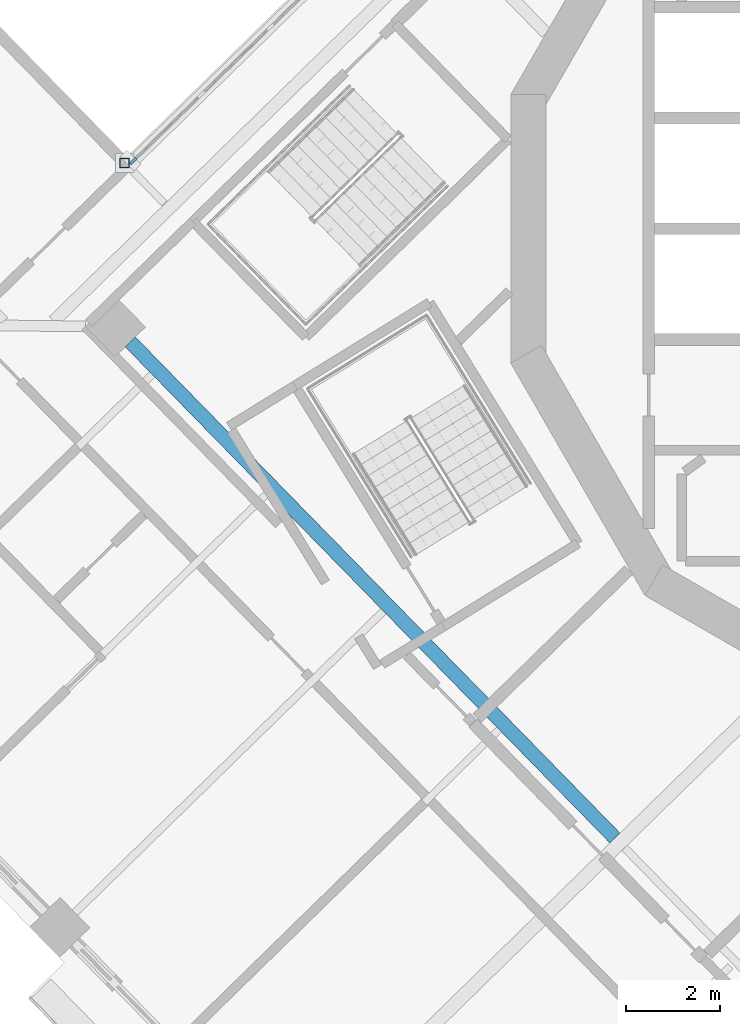
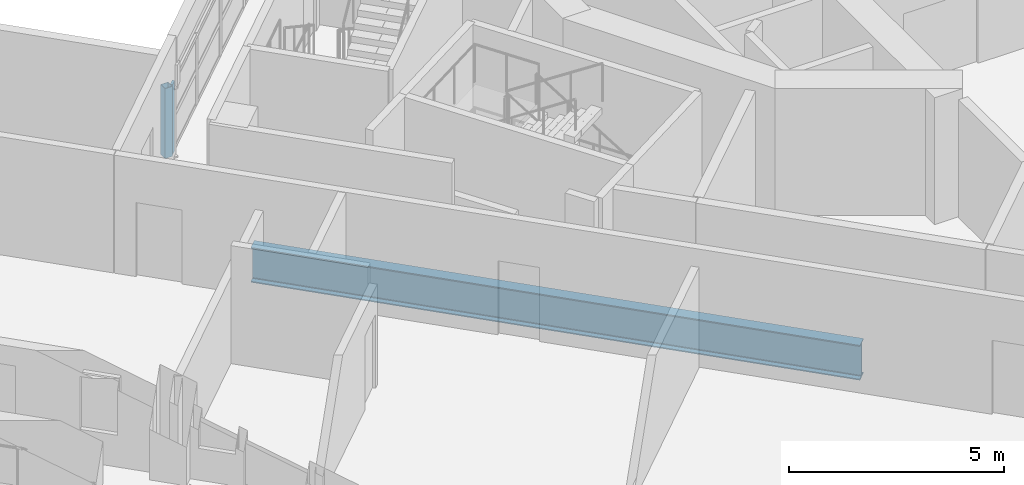
# One storey, part 2 of 21: 2 members, 1 beam, 1 element without a shape of its own.
"""IFC4 building model written with IfcOpenShell, lengths in metres."""

import ifcopenshell
import ifcopenshell.guid

model = None  # the IFC model being written
_history = None  # IfcOwnerHistory: only IFC2X3 demands one
_inside = {}  # id of a spatial element -> (the spatial element, [elements in it])
_under = {}  # id of a project, library or spatial element -> (it, [spatial elements below it])
_declared = {}  # id of a project -> (the project, [libraries it declares])
_typed = {}  # id of a type object -> (the type object, [elements of that type])
_made_of = {}  # id of a material, layer set ... -> (it, [elements and type objects made of it])


def new_model(schema):
    """Start an empty IFC model of exactly this schema.

    Asked for "IFC4X3", IfcOpenShell would pick the latest addendum, in which some entities
    have other attributes; the version numbers below select the first issue.
    IFC2X3 requires an IfcOwnerHistory on every rooted entity: one is made here for all.
    """
    global model, _history
    if schema == "IFC4X3":
        model = ifcopenshell.file(schema_version=(4, 3, 0, 0))
    else:
        model = ifcopenshell.file(schema=schema)
    _inside.clear()
    _under.clear()
    _declared.clear()
    _typed.clear()
    _made_of.clear()
    _history = None
    if model.schema == "IFC2X3":
        org = make("IfcOrganization", Name="unknown")
        user = make(
            "IfcPersonAndOrganization",
            ThePerson=make("IfcPerson", FamilyName="unknown"),
            TheOrganization=org,
        )
        app = make(
            "IfcApplication",
            ApplicationDeveloper=org,
            Version="unknown",
            ApplicationFullName="unknown",
            ApplicationIdentifier="unknown",
        )
        _history = make(
            "IfcOwnerHistory",
            OwningUser=user,
            OwningApplication=app,
            ChangeAction="ADDED",
            CreationDate=0,
        )
    return model


def make(cls, **values):
    """One entity of the class cls with the attributes given. An attribute that is None is left unset."""
    return model.create_entity(
        cls, **{name: value for name, value in values.items() if value is not None}
    )


def rooted(cls, **values):
    """An entity with a GlobalId (a new one), such as an element, a storey or a relation."""
    return make(cls, GlobalId=ifcopenshell.guid.new(), OwnerHistory=_history, **values)


def si_unit(unit_type, name, prefix=None):
    """IfcSIUnit, for example si_unit("LENGTHUNIT", "METRE", prefix="MILLI")."""
    return make("IfcSIUnit", UnitType=unit_type, Prefix=prefix, Name=name)


def assignment(units):
    """IfcUnitAssignment: the units of a project."""
    return None if units is None else make("IfcUnitAssignment", Units=units)


def point(xyz):
    """IfcCartesianPoint."""
    return None if xyz is None else make("IfcCartesianPoint", Coordinates=xyz)


def direction(xyz):
    """IfcDirection."""
    return None if xyz is None else make("IfcDirection", DirectionRatios=xyz)


def frame(location, z_axis=None, x_axis=None):
    """IfcAxis2Placement3D, a coordinate frame: its origin and axes. An axis left out is left unset."""
    return make(
        "IfcAxis2Placement3D",
        Location=point(location),
        Axis=direction(z_axis),
        RefDirection=direction(x_axis),
    )


def frame_2d(location, x_axis=None):
    """IfcAxis2Placement2D, a coordinate frame in the plane: its origin and x axis."""
    return make(
        "IfcAxis2Placement2D", Location=point(location), RefDirection=direction(x_axis)
    )


def origin():
    """The frame at (0, 0, 0) with its axes left unset."""
    return frame((0.0, 0.0, 0.0))


def origin_2d():
    """The frame at (0, 0) in the plane with its x axis left unset."""
    return frame_2d((0.0, 0.0))


def place(relative_to, where):
    """IfcLocalPlacement: puts the frame where relative to a parent placement (None: the world)."""
    return make(
        "IfcLocalPlacement", PlacementRelTo=relative_to, RelativePlacement=where
    )


def context(
    kind, dimensions, precision=None, world=None, true_north=None, identifier=None
):
    """IfcGeometricRepresentationContext, for example the 3D "Model" context."""
    return make(
        "IfcGeometricRepresentationContext",
        ContextIdentifier=identifier,
        ContextType=kind,
        CoordinateSpaceDimension=dimensions,
        Precision=precision,
        WorldCoordinateSystem=world,
        TrueNorth=true_north,
    )


def subcontext(parent, identifier, kind, view, scale=None):
    """IfcGeometricRepresentationSubContext, for example "Body" below "Model"."""
    return make(
        "IfcGeometricRepresentationSubContext",
        ContextIdentifier=identifier,
        ContextType=kind,
        ParentContext=parent,
        TargetScale=scale,
        TargetView=view,
    )


def project(units=None, contexts=None):
    """IfcProject with its units and contexts."""
    return rooted(
        "IfcProject",
        Name="project",
        RepresentationContexts=contexts,
        UnitsInContext=assignment(units),
    )


def spatial(cls, under=None, at=None, **own):
    """A site, building, storey or space (cls), placed at a placement, below another one or the project."""
    s = rooted(cls, ObjectPlacement=at, **own)
    if under is not None:
        _under.setdefault(under.id(), (under, []))[1].append(s)
    return s


def profile(cls, at=None, kind="AREA", **sizes):
    """A parametric profile (cls). Its sizes go by their IFC names, for example OverallWidth=200.0."""
    return make(cls, ProfileType=kind, Position=at, **sizes)


def rectangle(**sizes):
    """IfcRectangleProfileDef."""
    return profile("IfcRectangleProfileDef", **sizes)


def hollow_rectangle(**sizes):
    """IfcRectangleHollowProfileDef."""
    return profile("IfcRectangleHollowProfileDef", **sizes)


def i_section(**sizes):
    """IfcIShapeProfileDef."""
    return profile("IfcIShapeProfileDef", **sizes)


def extrude(swept, where, along, depth):
    """IfcExtrudedAreaSolid: the profile swept, set in the frame where, extruded along a direction by depth."""
    return make(
        "IfcExtrudedAreaSolid",
        SweptArea=swept,
        Position=where,
        ExtrudedDirection=direction(along),
        Depth=depth,
    )


def shape(context_of_items, identifier, shape_type, items):
    """IfcShapeRepresentation: the items that make up one representation, for example the "Body"."""
    return make(
        "IfcShapeRepresentation",
        ContextOfItems=context_of_items,
        RepresentationIdentifier=identifier,
        RepresentationType=shape_type,
        Items=items,
    )


def material(Name=None, Category=None):
    """IfcMaterial."""
    return make("IfcMaterial", Name=Name, Category=Category)


def material_profile(
    of_material, cross_section, Name=None, Category=None, Priority=None
):
    """IfcMaterialProfile: a cross section and its material."""
    return make(
        "IfcMaterialProfile",
        Name=Name,
        Material=of_material,
        Profile=cross_section,
        Priority=Priority,
        Category=Category,
    )


def profile_set(profiles, Name=None, composite=None):
    """IfcMaterialProfileSet."""
    return make(
        "IfcMaterialProfileSet",
        Name=Name,
        MaterialProfiles=profiles,
        CompositeProfile=composite,
    )


def made_of(thing, what):
    """Note that an element or type object is made of a material, layer set ...; save() writes the relation."""
    if what is not None:
        _made_of.setdefault(what.id(), (what, []))[1].append(thing)
    return thing


def type_object(cls, material=None, **own):
    """A type object (cls), such as IfcWallType, which elements share."""
    return made_of(rooted(cls, **own), material)


def element(
    cls,
    number,
    at=None,
    inside=None,
    cuts=None,
    type_object=None,
    material=None,
    context=None,
    identifier="Body",
    shape_type=None,
    held_by="IfcProductDefinitionShape",
    body=None,
    shapes=None,
    **own,
):
    """One element of the class cls, such as IfcWall. Its Tag is "e" and its number.

    at: its placement. inside: the storey or other place that contains it. cuts: it is an
    opening in that element (IfcRelVoidsElement). A single representation is given by context,
    identifier, shape_type and body (its items); several are given by shapes. held_by: the class
    of the entity that holds the representations. save() writes the other relations.
    """
    e = rooted(cls, Tag="e%d" % number, ObjectPlacement=at, **own)
    if body is not None:
        shapes = [shape(context, identifier, shape_type, body)]
    if shapes is not None:
        e.Representation = make(held_by, Representations=shapes)
    if inside is not None:
        _inside.setdefault(inside.id(), (inside, []))[1].append(e)
    if cuts is not None:
        rooted(
            "IfcRelVoidsElement", RelatingBuildingElement=cuts, RelatedOpeningElement=e
        )
    if type_object is not None:
        _typed.setdefault(type_object.id(), (type_object, []))[1].append(e)
    return made_of(e, material)


def aggregate(whole, parts):
    """IfcRelAggregates: a whole, such as a stair, and the parts it consists of."""
    return rooted("IfcRelAggregates", RelatingObject=whole, RelatedObjects=parts)


def save(model, path):
    """Write the relations noted so far, then the file.

    IfcRelAggregates (storeys below a building ...), IfcRelContainedInSpatialStructure (elements
    in a storey), IfcRelDefinesByType, IfcRelAssociatesMaterial and IfcRelDeclares: one each for
    every whole, place, type object, material and project.
    """
    for whole, parts in _under.values():
        aggregate(whole, parts)
    for where, things in _inside.values():
        rooted(
            "IfcRelContainedInSpatialStructure",
            RelatedElements=things,
            RelatingStructure=where,
        )
    for kind, things in _typed.values():
        rooted("IfcRelDefinesByType", RelatedObjects=things, RelatingType=kind)
    for what, things in _made_of.values():
        rooted("IfcRelAssociatesMaterial", RelatedObjects=things, RelatingMaterial=what)
    for by, libraries in _declared.values():
        rooted("IfcRelDeclares", RelatingContext=by, RelatedDefinitions=libraries)
    model.write(path)


model = new_model("IFC4")

# Units and contexts
model_context = context("Model", 3, precision=1e-05, world=origin(), true_north=direction((0.0, 1.0)))
body_context = subcontext(model_context, "Body", "Model", "MODEL_VIEW")
ifc_project = project(units=[si_unit("LENGTHUNIT", "METRE"), si_unit("AREAUNIT", "SQUARE_METRE"), si_unit("VOLUMEUNIT", "CUBIC_METRE"), si_unit("PLANEANGLEUNIT", "RADIAN"), si_unit("MASSUNIT", "GRAM", prefix="KILO")], contexts=[model_context])

# Site, building, storey
site_placement = place(None, origin())
site = spatial("IfcSite", under=ifc_project, at=site_placement, CompositionType="ELEMENT")
building_placement = place(site_placement, origin())
building = spatial("IfcBuilding", under=site, at=building_placement, Name="Cantera Rosa Tower", CompositionType="ELEMENT")
storey_placement = place(building_placement, frame((0.0, 0.0, 230.60009765625)))
storey = spatial("IfcBuildingStorey", under=building, at=storey_placement, Name="L50", CompositionType="ELEMENT", Elevation=230.60009765625)

# Curtain wall, member
ifc_material_1 = material(Name="Aluminium frame with clear glass", Category="aluminium")
curtain_wall_type = type_object("IfcCurtainWallType", Name="CW1 TERRACE POCKET GLAZING", PredefinedType="NOTDEFINED", material=ifc_material_1)
curtain_wall_placement = place(storey_placement, origin())
curtain_wall = element("IfcCurtainWall", 1, at=curtain_wall_placement, inside=storey, type_object=curtain_wall_type, Name="CW1 CW1", PredefinedType="NOTDEFINED")
ifc_material_2 = material(Name="Anodised bronze aluminium", Category="aluminium")
ifc_material_profile_1 = material_profile(ifc_material_2, rectangle(XDim=0.06005859375, YDim=0.179931640625, at=origin_2d()), Name="CW-MULLION 60x180 POCKET")
ifc_profile_set_1 = profile_set([ifc_material_profile_1], Name="Anodised bronze aluminium")
member_type_1 = type_object("IfcMemberType", Name="CW-MULLION 60x180 POCKET", PredefinedType="MULLION", material=ifc_profile_set_1)
member_1_placement = place(storey_placement, frame((-18.634521484375, 1.436767578125, 0.0), z_axis=(0.0, 0.0, 1.0), x_axis=(0.698831540401, -0.715286291034, 0.0)))
member_1 = element("IfcMember", 2, at=member_1_placement, type_object=member_type_1, Name="CW1 mullion 9", PredefinedType="MULLION", context=body_context, shape_type="SweptSolid", body=[
    extrude(rectangle(XDim=0.06005859375, YDim=0.179931640625, at=origin_2d()), origin(), (0.0, 0.0, 1.0), 1.98779296875),
])
aggregate(curtain_wall, [member_1])

# Member
ifc_material_3 = material(Name="Steel ASTM A992 (Fy 345 MPa)", Category="steel")
ifc_material_profile_2 = material_profile(ifc_material_3, hollow_rectangle(XDim=0.199951171875, YDim=0.199951171875, WallThickness=0.010009765625, at=origin_2d()), Name="LINTEL POST RHS 200x200x10")
ifc_profile_set_2 = profile_set([ifc_material_profile_2], Name="Steel ASTM A992 (Fy 345 MPa)")
member_type_2 = type_object("IfcMemberType", Name="LINTEL POST RHS 200x200x10", PredefinedType="USERDEFINED", material=ifc_profile_set_2)
member_2_placement = place(storey_placement, frame((-18.815185546875, 1.39990234375, 0.0), z_axis=(0.0, 0.0, 1.0), x_axis=(1.0, 0.0, 0.0)))
element("IfcMember", 3, at=member_2_placement, inside=storey, type_object=member_type_2, Name="LINTEL POST L50-2", ObjectType="LINTEL POST", PredefinedType="USERDEFINED", context=body_context, shape_type="SweptSolid", body=[
    extrude(hollow_rectangle(XDim=0.199951171875, YDim=0.199951171875, WallThickness=0.010009765625, at=origin_2d()), origin(), (0.0, 0.0, 1.0), 1.989990234375),
])

# Beam
ifc_material_4 = material(Name="Steel ASTM A992 (Fy 345 MPa)", Category="steel")
ifc_material_profile_3 = material_profile(ifc_material_4, i_section(OverallWidth=0.300048828125, OverallDepth=0.990966796875, WebThickness=0.0166015625, FlangeThickness=0.030517578125, FilletRadius=0.030029296875, at=origin_2d()), Name="W1000X272")
ifc_profile_set_3 = profile_set([ifc_material_profile_3], Name="Steel ASTM A992 (Fy 345 MPa)")
beam_type = type_object("IfcBeamType", Name="STEEL BEAM W1000X272", PredefinedType="BEAM", material=ifc_profile_set_3)
beam_placement = place(storey_placement, frame((-8.4169921875, -12.9208984375, -0.74560546875), z_axis=(-0.698826825527, 0.715290897415, 0.0), x_axis=(-0.715290897415, -0.698826825527, 0.0)))
element("IfcBeam", 4, at=beam_placement, inside=storey, type_object=beam_type, Name="RB-Z4-07 L50", PredefinedType="BEAM", context=body_context, shape_type="SweptSolid", body=[
    extrude(i_section(OverallWidth=0.300048828125, OverallDepth=0.990966796875, WebThickness=0.0166015625, FlangeThickness=0.030517578125, FilletRadius=0.030029296875, at=origin_2d()), origin(), (0.0, 0.0, 1.0), 14.7099609375),
])

save(model, "model.ifc")
